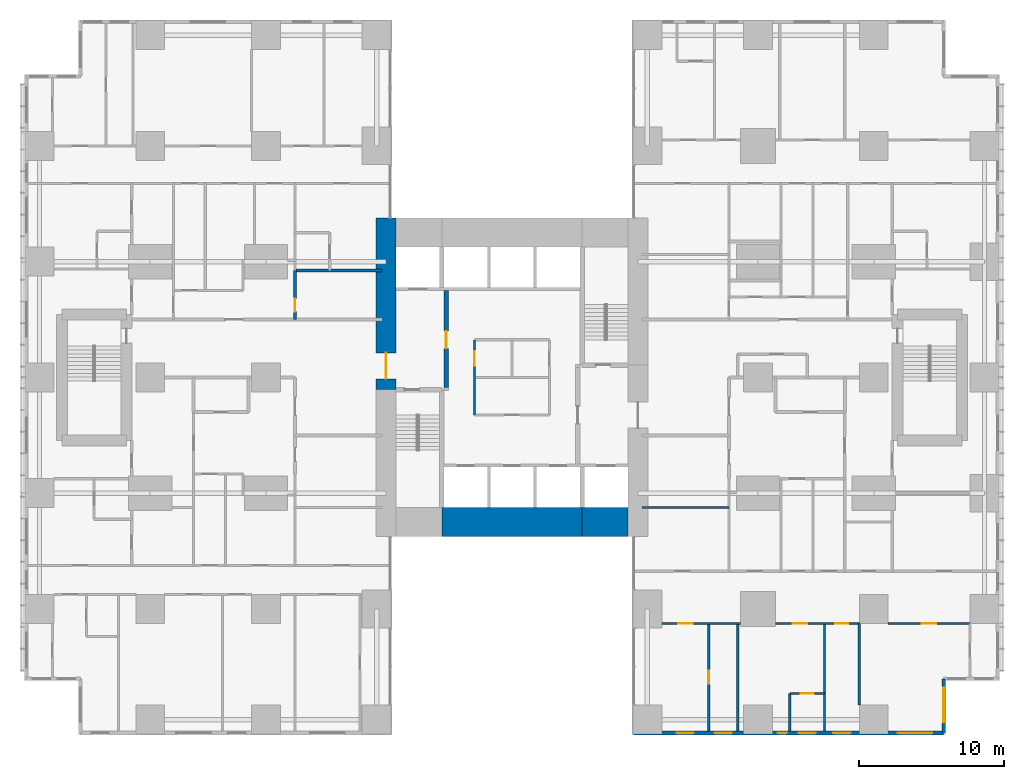
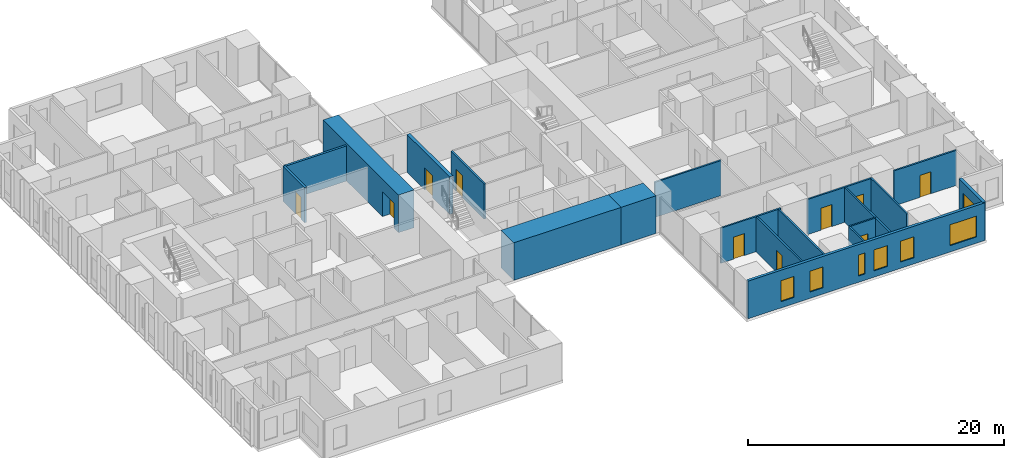
# One storey, part 14 of 20: 19 walls, 10 doors, 7 windows, 17 openings.
"""IFC4 building model written with IfcOpenShell, lengths in metres."""

from ifc_helpers import new_model, si_unit, direction, frame, frame_2d, origin, place, context, subcontext, project, spatial, rectangle, extrude, material, layer, layer_set, type_object, element, fill, save


model = new_model("IFC4")

# Units and contexts
model_context = context("Model", 3, precision=1e-05, world=origin(), true_north=direction((0.0, 1.0)))
body_context = subcontext(model_context, "Body", "Model", "MODEL_VIEW")
ifc_project = project(units=[si_unit("LENGTHUNIT", "METRE"), si_unit("AREAUNIT", "SQUARE_METRE"), si_unit("VOLUMEUNIT", "CUBIC_METRE"), si_unit("PLANEANGLEUNIT", "RADIAN"), si_unit("MASSUNIT", "GRAM", prefix="KILO")], contexts=[model_context])

# Site, building, storey
site_placement = place(None, origin())
site = spatial("IfcSite", under=ifc_project, at=site_placement, CompositionType="ELEMENT")
building_placement = place(site_placement, origin())
building = spatial("IfcBuilding", under=site, at=building_placement, Name="Cleftline Residences", CompositionType="ELEMENT")
storey_placement = place(building_placement, frame((0.0, 0.0, 76.39990234375)))
storey = spatial("IfcBuildingStorey", under=building, at=storey_placement, Name="L19", CompositionType="ELEMENT", Elevation=76.39990234375)

# Wall, opening, door
ifc_material_1 = material(Name="Concrete B70", Category="concrete")
ifc_layer_1 = layer(ifc_material_1, 1.39990234375)
ifc_layer_set_1 = layer_set([ifc_layer_1], Name="CORE WALL 1400")
wall_type_1 = type_object("IfcWallType", Name="CORE WALL 1400", PredefinedType="SHEAR", material=ifc_layer_set_1)
wall_1_placement = place(storey_placement, frame((24.300048828125, 23.14990234375, 0.0), z_axis=(0.0, 0.0, 1.0), x_axis=(0.0, 1.0, 0.0)))
wall_1 = element("IfcWall", 1, at=wall_1_placement, inside=storey, type_object=wall_type_1, Name="Core wall W", PredefinedType="SHEAR", context=body_context, shape_type="SweptSolid", body=[
    extrude(rectangle(XDim=11.85009765625, YDim=1.39990234375, at=frame_2d((5.925048828125, 0.0))), origin(), (0.0, 0.0, 1.0), 3.60009765625),
])
opening_1_placement = place(wall_1_placement, frame((0.75, 0.0, 0.0)))
opening_1 = element("IfcOpeningElement", 2, at=opening_1_placement, cuts=wall_1, Name="Opening D7", PredefinedType="OPENING", context=body_context, shape_type="SweptSolid", body=[
    extrude(rectangle(XDim=1.800048828125, YDim=2.39990234375, at=frame_2d((0.89990234375, 1.199951171875))), frame((0.0, 0.7099609375, 0.0), z_axis=(0.0, -1.0, 0.0), x_axis=(1.0, 0.0, 0.0)), (0.0, 0.0, 1.0), 1.419921875),
])
ifc_material_2 = material(Name="Steel", Category="steel")
door_type_1 = type_object("IfcDoorType", Name="WING DOOR 1800X2400", OperationType="DOUBLE_DOOR_DOUBLE_SWING", PredefinedType="DOOR", material=ifc_material_2)
door_1_placement = place(opening_1_placement, origin())
door_1 = element("IfcDoor", 3, at=door_1_placement, inside=storey, type_object=door_type_1, Name="West wing door", OperationType="DOUBLE_DOOR_DOUBLE_SWING", OverallHeight=2.39990234375, OverallWidth=1.800048828125, PredefinedType="DOOR", context=body_context, shape_type="SweptSolid", body=[
    extrude(rectangle(XDim=1.800048828125, YDim=2.39990234375, at=frame_2d((0.89990234375, 1.199951171875))), frame((0.0, 0.02490234375, 0.0), z_axis=(0.0, -1.0, 0.0), x_axis=(1.0, 0.0, 0.0)), (0.0, 0.0, 1.0), 0.050048828125),
])
fill(opening_1, door_1)

# Walls
ifc_material_3 = material(Name="Concrete B70", Category="concrete")
ifc_layer_2 = layer(ifc_material_3, 2.0)
ifc_layer_set_2 = layer_set([ifc_layer_2], Name="CORE WALL 2000")
wall_type_2 = type_object("IfcWallType", Name="CORE WALL 2000", PredefinedType="SHEAR", material=ifc_layer_set_2)
wall_2_placement = place(storey_placement, frame((28.14990234375, 14.0, 0.0), z_axis=(0.0, 0.0, 1.0), x_axis=(1.0, 0.0, 0.0)))
element("IfcWall", 4, at=wall_2_placement, inside=storey, type_object=wall_type_2, Name="Core wall S2", PredefinedType="SHEAR", context=body_context, shape_type="SweptSolid", body=[
    extrude(rectangle(XDim=9.7001953125, YDim=2.0, at=frame_2d((4.85009765625, 0.0))), origin(), (0.0, 0.0, 1.0), 3.60009765625),
])
wall_3_placement = place(storey_placement, frame((37.85009765625, 14.0, 0.0), z_axis=(0.0, 0.0, 1.0), x_axis=(1.0, 0.0, 0.0)))
element("IfcWall", 5, at=wall_3_placement, inside=storey, type_object=wall_type_2, Name="Core wall S3", PredefinedType="SHEAR", context=body_context, shape_type="SweptSolid", body=[
    extrude(rectangle(XDim=3.14990234375, YDim=2.0, at=frame_2d((1.574951171875, 0.0))), origin(), (0.0, 0.0, 1.0), 3.60009765625),
])

# Wall, openings, windows
ifc_material_4 = material(Name="Rendered reinforced concrete blockwork", Category="masonry")
ifc_layer_3 = layer(ifc_material_4, 0.25)
ifc_layer_set_3 = layer_set([ifc_layer_3], Name="EXTERNAL WALL 250")
wall_type_3 = type_object("IfcWallType", Name="EXTERNAL WALL 250", PredefinedType="SOLIDWALL", material=ifc_layer_set_3)
wall_4_placement = place(storey_placement, frame((41.425048828125, -0.574951171875, 0.0), z_axis=(0.0, 0.0, 1.0), x_axis=(1.0, 0.0, 0.0)))
wall_4 = element("IfcWall", 6, at=wall_4_placement, inside=storey, type_object=wall_type_3, Name="External wall", PredefinedType="SOLIDWALL", context=body_context, shape_type="SweptSolid", body=[
    extrude(rectangle(XDim=21.39990234375, YDim=0.25, at=frame_2d((10.699951171875, 0.0))), origin(), (0.0, 0.0, 1.0), 3.60009765625),
])
opening_2_placement = place(wall_4_placement, frame((2.949951171875, 0.0, 0.60009765625)))
opening_2 = element("IfcOpeningElement", 7, at=opening_2_placement, cuts=wall_4, Name="Opening W8", PredefinedType="OPENING", context=body_context, shape_type="SweptSolid", body=[
    extrude(rectangle(XDim=1.199951171875, YDim=2.0, at=frame_2d((0.60009765625, 1.0))), frame((0.0, 0.135009765625, 0.0), z_axis=(0.0, -1.0, 0.0), x_axis=(1.0, 0.0, 0.0)), (0.0, 0.0, 1.0), 0.27001953125),
])
opening_3_placement = place(wall_4_placement, frame((5.574951171875, 0.0, 0.60009765625)))
opening_3 = element("IfcOpeningElement", 8, at=opening_3_placement, cuts=wall_4, Name="Opening W8", PredefinedType="OPENING", context=body_context, shape_type="SweptSolid", body=[
    extrude(rectangle(XDim=1.199951171875, YDim=2.0, at=frame_2d((0.60009765625, 1.0))), frame((0.0, 0.135009765625, 0.0), z_axis=(0.0, -1.0, 0.0), x_axis=(1.0, 0.0, 0.0)), (0.0, 0.0, 1.0), 0.27001953125),
])
opening_4_placement = place(wall_4_placement, frame((9.949951171875, 0.0, 0.60009765625)))
opening_4 = element("IfcOpeningElement", 9, at=opening_4_placement, cuts=wall_4, Name="Opening W7", PredefinedType="OPENING", context=body_context, shape_type="SweptSolid", body=[
    extrude(rectangle(XDim=0.60009765625, YDim=2.0, at=frame_2d((0.300048828125, 1.0))), frame((0.0, 0.135009765625, 0.0), z_axis=(0.0, -1.0, 0.0), x_axis=(1.0, 0.0, 0.0)), (0.0, 0.0, 1.0), 0.27001953125),
])
opening_5_placement = place(wall_4_placement, frame((11.375, 0.0, 0.60009765625)))
opening_5 = element("IfcOpeningElement", 10, at=opening_5_placement, cuts=wall_4, Name="Opening W8", PredefinedType="OPENING", context=body_context, shape_type="SweptSolid", body=[
    extrude(rectangle(XDim=1.199951171875, YDim=2.0, at=frame_2d((0.60009765625, 1.0))), frame((0.0, 0.135009765625, 0.0), z_axis=(0.0, -1.0, 0.0), x_axis=(1.0, 0.0, 0.0)), (0.0, 0.0, 1.0), 0.27001953125),
])
opening_6_placement = place(wall_4_placement, frame((13.77490234375, 0.0, 0.60009765625)))
opening_6 = element("IfcOpeningElement", 11, at=opening_6_placement, cuts=wall_4, Name="Opening W8", PredefinedType="OPENING", context=body_context, shape_type="SweptSolid", body=[
    extrude(rectangle(XDim=1.199951171875, YDim=2.0, at=frame_2d((0.60009765625, 1.0))), frame((0.0, 0.135009765625, 0.0), z_axis=(0.0, -1.0, 0.0), x_axis=(1.0, 0.0, 0.0)), (0.0, 0.0, 1.0), 0.27001953125),
])
opening_7_placement = place(wall_4_placement, frame((18.22509765625, 0.0, 0.60009765625)))
opening_7 = element("IfcOpeningElement", 12, at=opening_7_placement, cuts=wall_4, Name="Opening W6", PredefinedType="OPENING", context=body_context, shape_type="SweptSolid", body=[
    extrude(rectangle(XDim=2.39990234375, YDim=2.0, at=frame_2d((1.199951171875, 1.0))), frame((0.0, 0.135009765625, 0.0), z_axis=(0.0, -1.0, 0.0), x_axis=(1.0, 0.0, 0.0)), (0.0, 0.0, 1.0), 0.27001953125),
])
ifc_material_5 = material(Name="Aluminium frame, clear double glazing", Category="aluminium")
window_type_1 = type_object("IfcWindowType", Name="WINDOW 1200X2000", PartitioningType="DOUBLE_PANEL_VERTICAL", PredefinedType="WINDOW", material=ifc_material_5)
window_1_placement = place(opening_2_placement, origin())
window_1 = element("IfcWindow", 13, at=window_1_placement, inside=storey, type_object=window_type_1, Name="Window", OverallHeight=2.0, OverallWidth=1.199951171875, PartitioningType="SINGLE_PANEL", PredefinedType="WINDOW", context=body_context, shape_type="SweptSolid", body=[
    extrude(rectangle(XDim=1.199951171875, YDim=2.0, at=frame_2d((0.60009765625, 1.0))), frame((0.0, 0.030029296875, 0.0), z_axis=(0.0, -1.0, 0.0), x_axis=(1.0, 0.0, 0.0)), (0.0, 0.0, 1.0), 0.06005859375),
])
fill(opening_2, window_1)
window_2_placement = place(opening_3_placement, origin())
window_2 = element("IfcWindow", 14, at=window_2_placement, inside=storey, type_object=window_type_1, Name="Window", OverallHeight=2.0, OverallWidth=1.199951171875, PartitioningType="SINGLE_PANEL", PredefinedType="WINDOW", context=body_context, shape_type="SweptSolid", body=[
    extrude(rectangle(XDim=1.199951171875, YDim=2.0, at=frame_2d((0.60009765625, 1.0))), frame((0.0, 0.030029296875, 0.0), z_axis=(0.0, -1.0, 0.0), x_axis=(1.0, 0.0, 0.0)), (0.0, 0.0, 1.0), 0.06005859375),
])
fill(opening_3, window_2)
window_3_placement = place(opening_5_placement, origin())
window_3 = element("IfcWindow", 15, at=window_3_placement, inside=storey, type_object=window_type_1, Name="Window", OverallHeight=2.0, OverallWidth=1.199951171875, PartitioningType="SINGLE_PANEL", PredefinedType="WINDOW", context=body_context, shape_type="SweptSolid", body=[
    extrude(rectangle(XDim=1.199951171875, YDim=2.0, at=frame_2d((0.60009765625, 1.0))), frame((0.0, 0.030029296875, 0.0), z_axis=(0.0, -1.0, 0.0), x_axis=(1.0, 0.0, 0.0)), (0.0, 0.0, 1.0), 0.06005859375),
])
fill(opening_5, window_3)
window_4_placement = place(opening_6_placement, origin())
window_4 = element("IfcWindow", 16, at=window_4_placement, inside=storey, type_object=window_type_1, Name="Window", OverallHeight=2.0, OverallWidth=1.199951171875, PartitioningType="SINGLE_PANEL", PredefinedType="WINDOW", context=body_context, shape_type="SweptSolid", body=[
    extrude(rectangle(XDim=1.199951171875, YDim=2.0, at=frame_2d((0.60009765625, 1.0))), frame((0.0, 0.030029296875, 0.0), z_axis=(0.0, -1.0, 0.0), x_axis=(1.0, 0.0, 0.0)), (0.0, 0.0, 1.0), 0.06005859375),
])
fill(opening_6, window_4)
ifc_material_6 = material(Name="Aluminium frame, clear double glazing", Category="aluminium")
window_type_2 = type_object("IfcWindowType", Name="WINDOW 2400X2000", PartitioningType="DOUBLE_PANEL_VERTICAL", PredefinedType="WINDOW", material=ifc_material_6)
window_5_placement = place(opening_7_placement, origin())
window_5 = element("IfcWindow", 17, at=window_5_placement, inside=storey, type_object=window_type_2, Name="Window", OverallHeight=2.0, OverallWidth=2.39990234375, PartitioningType="SINGLE_PANEL", PredefinedType="WINDOW", context=body_context, shape_type="SweptSolid", body=[
    extrude(rectangle(XDim=2.39990234375, YDim=2.0, at=frame_2d((1.199951171875, 1.0))), frame((0.0, 0.030029296875, 0.0), z_axis=(0.0, -1.0, 0.0), x_axis=(1.0, 0.0, 0.0)), (0.0, 0.0, 1.0), 0.06005859375),
])
fill(opening_7, window_5)
ifc_material_7 = material(Name="Aluminium frame, clear double glazing", Category="aluminium")
window_type_3 = type_object("IfcWindowType", Name="WINDOW 600X2000", PartitioningType="DOUBLE_PANEL_VERTICAL", PredefinedType="WINDOW", material=ifc_material_7)
window_6_placement = place(opening_4_placement, origin())
window_6 = element("IfcWindow", 18, at=window_6_placement, inside=storey, type_object=window_type_3, Name="Window", OverallHeight=2.0, OverallWidth=0.60009765625, PartitioningType="SINGLE_PANEL", PredefinedType="WINDOW", context=body_context, shape_type="SweptSolid", body=[
    extrude(rectangle(XDim=0.60009765625, YDim=2.0, at=frame_2d((0.300048828125, 1.0))), frame((0.0, 0.030029296875, 0.0), z_axis=(0.0, -1.0, 0.0), x_axis=(1.0, 0.0, 0.0)), (0.0, 0.0, 1.0), 0.06005859375),
])
fill(opening_4, window_6)

# Wall, opening, window
wall_5_placement = place(storey_placement, frame((62.824951171875, -0.574951171875, 0.0), z_axis=(0.0, 0.0, 1.0), x_axis=(0.0, 1.0, 0.0)))
wall_5 = element("IfcWall", 19, at=wall_5_placement, inside=storey, type_object=wall_type_3, Name="External wall", PredefinedType="SOLIDWALL", context=body_context, shape_type="SweptSolid", body=[
    extrude(rectangle(XDim=3.75, YDim=0.25, at=frame_2d((1.875, 0.0))), origin(), (0.0, 0.0, 1.0), 3.60009765625),
])
opening_8_placement = place(wall_5_placement, frame((0.737548828125, 0.0, 0.60009765625)))
opening_8 = element("IfcOpeningElement", 20, at=opening_8_placement, cuts=wall_5, Name="Opening W6", PredefinedType="OPENING", context=body_context, shape_type="SweptSolid", body=[
    extrude(rectangle(XDim=2.39990234375, YDim=2.0, at=frame_2d((1.199951171875, 1.0))), frame((0.0, 0.135009765625, 0.0), z_axis=(0.0, -1.0, 0.0), x_axis=(1.0, 0.0, 0.0)), (0.0, 0.0, 1.0), 0.27001953125),
])
window_7_placement = place(opening_8_placement, origin())
window_7 = element("IfcWindow", 21, at=window_7_placement, inside=storey, type_object=window_type_2, Name="Window", OverallHeight=2.0, OverallWidth=2.39990234375, PartitioningType="SINGLE_PANEL", PredefinedType="WINDOW", context=body_context, shape_type="SweptSolid", body=[
    extrude(rectangle(XDim=2.39990234375, YDim=2.0, at=frame_2d((1.199951171875, 1.0))), frame((0.0, 0.030029296875, 0.0), z_axis=(0.0, -1.0, 0.0), x_axis=(1.0, 0.0, 0.0)), (0.0, 0.0, 1.0), 0.06005859375),
])
fill(opening_8, window_7)

# Wall
ifc_material_8 = material(Name="Concrete blockwork, fire rated", Category="masonry")
ifc_layer_4 = layer(ifc_material_8, 0.199951171875)
ifc_layer_set_4 = layer_set([ifc_layer_4], Name="FIRE WALL 200")
wall_type_4 = type_object("IfcWallType", Name="FIRE WALL 200", PredefinedType="PARTITIONING", material=ifc_layer_set_4)
wall_6_placement = place(storey_placement, frame((18.0, 31.39990234375, 0.0), z_axis=(0.0, 0.0, 1.0), x_axis=(1.0, 0.0, 0.0)))
element("IfcWall", 22, at=wall_6_placement, inside=storey, type_object=wall_type_4, Name="Fire separating wall", PredefinedType="PARTITIONING", context=body_context, shape_type="SweptSolid", body=[
    extrude(rectangle(XDim=6.0, YDim=0.199951171875, at=frame_2d((3.0, 0.0))), origin(), (0.0, 0.0, 1.0), 3.35009765625),
])

# Wall, opening, door
wall_7_placement = place(storey_placement, frame((18.0, 28.0, 0.0), z_axis=(0.0, 0.0, 1.0), x_axis=(0.0, 1.0, 0.0)))
wall_7 = element("IfcWall", 23, at=wall_7_placement, inside=storey, type_object=wall_type_4, Name="Fire separating wall", PredefinedType="PARTITIONING", context=body_context, shape_type="SweptSolid", body=[
    extrude(rectangle(XDim=3.39990234375, YDim=0.199951171875, at=frame_2d((1.699951171875, 0.0))), origin(), (0.0, 0.0, 1.0), 3.35009765625),
])
opening_9_placement = place(wall_7_placement, frame((0.550048828125, 0.0, 0.0)))
opening_9 = element("IfcOpeningElement", 24, at=opening_9_placement, cuts=wall_7, Name="Opening D1F30", PredefinedType="OPENING", context=body_context, shape_type="SweptSolid", body=[
    extrude(rectangle(XDim=0.89990234375, YDim=2.10009765625, at=frame_2d((0.449951171875, 1.050048828125))), frame((0.0, 0.10986328125, 0.0), z_axis=(0.0, -1.0, 0.0), x_axis=(1.0, 0.0, 0.0)), (0.0, 0.0, 1.0), 0.219970703125),
])
ifc_material_9 = material(Name="Timber veneer on solid core", Category="wood")
door_type_2 = type_object("IfcDoorType", Name="DOOR 900X2100 EI 30", OperationType="SINGLE_SWING_LEFT", PredefinedType="DOOR", material=ifc_material_9)
door_2_placement = place(opening_9_placement, origin())
door_2 = element("IfcDoor", 25, at=door_2_placement, inside=storey, type_object=door_type_2, Name="Door to drying loggia and wc", OperationType="SINGLE_SWING_RIGHT", OverallHeight=2.10009765625, OverallWidth=0.89990234375, PredefinedType="DOOR", context=body_context, shape_type="SweptSolid", body=[
    extrude(rectangle(XDim=0.89990234375, YDim=2.10009765625, at=frame_2d((0.449951171875, 1.050048828125))), frame((0.0, 0.02490234375, 0.0), z_axis=(0.0, -1.0, 0.0), x_axis=(1.0, 0.0, 0.0)), (0.0, 0.0, 1.0), 0.050048828125),
])
fill(opening_9, door_2)

ifc_material_10 = material(Name="Gypsum board on steel studs", Category="steel")
ifc_layer_5 = layer(ifc_material_10, 0.14990234375)
ifc_layer_set_5 = layer_set([ifc_layer_5], Name="PARTITION 150")
wall_type_5 = type_object("IfcWallType", Name="PARTITION 150", PredefinedType="PARTITIONING", material=ifc_layer_set_5)
wall_8_placement = place(storey_placement, frame((52.199951171875, 2.14990234375, 0.0), z_axis=(0.0, 0.0, 1.0), x_axis=(1.0, 0.0, 0.0)))
wall_8 = element("IfcWall", 26, at=wall_8_placement, inside=storey, type_object=wall_type_5, Name="Partition", PredefinedType="PARTITIONING", context=body_context, shape_type="SweptSolid", body=[
    extrude(rectangle(XDim=2.400146484375, YDim=0.14990234375, at=frame_2d((1.2001953125, 0.0))), origin(), (0.0, 0.0, 1.0), 3.35009765625),
])
opening_10_placement = place(wall_8_placement, frame((0.75, 0.0, 0.0)))
opening_10 = element("IfcOpeningElement", 27, at=opening_10_placement, cuts=wall_8, Name="Opening D1", PredefinedType="OPENING", context=body_context, shape_type="SweptSolid", body=[
    extrude(rectangle(XDim=0.89990234375, YDim=2.10009765625, at=frame_2d((0.449951171875, 1.050048828125))), frame((0.0, 0.0849609375, 0.0), z_axis=(0.0, -1.0, 0.0), x_axis=(1.0, 0.0, 0.0)), (0.0, 0.0, 1.0), 0.169921875),
])
ifc_material_11 = material(Name="Timber veneer on solid core", Category="wood")
door_type_3 = type_object("IfcDoorType", Name="DOOR 900X2100", OperationType="SINGLE_SWING_LEFT", PredefinedType="DOOR", material=ifc_material_11)
door_3_placement = place(opening_10_placement, origin())
door_3 = element("IfcDoor", 28, at=door_3_placement, inside=storey, type_object=door_type_3, Name="Door to en-suite bathroom 2", OperationType="SINGLE_SWING_LEFT", OverallHeight=2.10009765625, OverallWidth=0.89990234375, PredefinedType="DOOR", context=body_context, shape_type="SweptSolid", body=[
    extrude(rectangle(XDim=0.89990234375, YDim=2.10009765625, at=frame_2d((0.449951171875, 1.050048828125))), frame((0.0, 0.02490234375, 0.0), z_axis=(0.0, -1.0, 0.0), x_axis=(1.0, 0.0, 0.0)), (0.0, 0.0, 1.0), 0.050048828125),
])
fill(opening_10, door_3)

wall_9_placement = place(storey_placement, frame((43.35009765625, 7.0, 0.0), z_axis=(0.0, 0.0, 1.0), x_axis=(1.0, 0.0, 0.0)))
wall_9 = element("IfcWall", 29, at=wall_9_placement, inside=storey, type_object=wall_type_5, Name="Partition", PredefinedType="PARTITIONING", context=body_context, shape_type="SweptSolid", body=[
    extrude(rectangle(XDim=5.449951171875, YDim=0.14990234375, at=frame_2d((2.72509765625, 0.0))), origin(), (0.0, 0.0, 1.0), 3.35009765625),
])
opening_11_placement = place(wall_9_placement, frame((1.125, 0.0, 0.0)))
opening_11 = element("IfcOpeningElement", 30, at=opening_11_placement, cuts=wall_9, Name="Opening D2", PredefinedType="OPENING", context=body_context, shape_type="SweptSolid", body=[
    extrude(rectangle(XDim=1.0, YDim=2.10009765625, at=frame_2d((0.5, 1.050048828125))), frame((0.0, 0.0849609375, 0.0), z_axis=(0.0, -1.0, 0.0), x_axis=(1.0, 0.0, 0.0)), (0.0, 0.0, 1.0), 0.169921875),
])
ifc_material_12 = material(Name="Timber veneer on solid core", Category="wood")
door_type_4 = type_object("IfcDoorType", Name="DOOR 1000X2100", OperationType="SINGLE_SWING_LEFT", PredefinedType="DOOR", material=ifc_material_12)
door_4_placement = place(opening_11_placement, origin())
door_4 = element("IfcDoor", 31, at=door_4_placement, inside=storey, type_object=door_type_4, Name="Door to bedroom 3", OperationType="SINGLE_SWING_RIGHT", OverallHeight=2.10009765625, OverallWidth=1.0, PredefinedType="DOOR", context=body_context, shape_type="SweptSolid", body=[
    extrude(rectangle(XDim=1.0, YDim=2.10009765625, at=frame_2d((0.5, 1.050048828125))), frame((0.0, 0.02490234375, 0.0), z_axis=(0.0, -1.0, 0.0), x_axis=(1.0, 0.0, 0.0)), (0.0, 0.0, 1.0), 0.050048828125),
])
fill(opening_11, door_4)

# Wall, openings, doors
wall_10_placement = place(storey_placement, frame((51.199951171875, 7.0, 0.0), z_axis=(0.0, 0.0, 1.0), x_axis=(1.0, 0.0, 0.0)))
wall_10 = element("IfcWall", 32, at=wall_10_placement, inside=storey, type_object=wall_type_5, Name="Partition", PredefinedType="PARTITIONING", context=body_context, shape_type="SweptSolid", body=[
    extrude(rectangle(XDim=5.800048828125, YDim=0.14990234375, at=frame_2d((2.89990234375, 0.0))), origin(), (0.0, 0.0, 1.0), 3.35009765625),
])
opening_12_placement = place(wall_10_placement, frame((4.14990234375, 0.0, 0.0)))
opening_12 = element("IfcOpeningElement", 33, at=opening_12_placement, cuts=wall_10, Name="Opening D1", PredefinedType="OPENING", context=body_context, shape_type="SweptSolid", body=[
    extrude(rectangle(XDim=0.89990234375, YDim=2.10009765625, at=frame_2d((0.449951171875, 1.050048828125))), frame((0.0, 0.0849609375, 0.0), z_axis=(0.0, -1.0, 0.0), x_axis=(1.0, 0.0, 0.0)), (0.0, 0.0, 1.0), 0.169921875),
])
opening_13_placement = place(wall_10_placement, frame((1.199951171875, 0.0, 0.0)))
opening_13 = element("IfcOpeningElement", 34, at=opening_13_placement, cuts=wall_10, Name="Opening D2", PredefinedType="OPENING", context=body_context, shape_type="SweptSolid", body=[
    extrude(rectangle(XDim=1.0, YDim=2.10009765625, at=frame_2d((0.5, 1.050048828125))), frame((0.0, 0.0849609375, 0.0), z_axis=(0.0, -1.0, 0.0), x_axis=(1.0, 0.0, 0.0)), (0.0, 0.0, 1.0), 0.169921875),
])
door_5_placement = place(opening_13_placement, origin())
door_5 = element("IfcDoor", 35, at=door_5_placement, inside=storey, type_object=door_type_4, Name="Door to bedroom 2", OperationType="SINGLE_SWING_RIGHT", OverallHeight=2.10009765625, OverallWidth=1.0, PredefinedType="DOOR", context=body_context, shape_type="SweptSolid", body=[
    extrude(rectangle(XDim=1.0, YDim=2.10009765625, at=frame_2d((0.5, 1.050048828125))), frame((0.0, 0.02490234375, 0.0), z_axis=(0.0, -1.0, 0.0), x_axis=(1.0, 0.0, 0.0)), (0.0, 0.0, 1.0), 0.050048828125),
])
fill(opening_13, door_5)
door_6_placement = place(opening_12_placement, origin())
door_6 = element("IfcDoor", 36, at=door_6_placement, inside=storey, type_object=door_type_3, Name="Door to master dressing room", OperationType="SINGLE_SWING_LEFT", OverallHeight=2.10009765625, OverallWidth=0.89990234375, PredefinedType="DOOR", context=body_context, shape_type="SweptSolid", body=[
    extrude(rectangle(XDim=0.89990234375, YDim=2.10009765625, at=frame_2d((0.449951171875, 1.050048828125))), frame((0.0, 0.02490234375, 0.0), z_axis=(0.0, -1.0, 0.0), x_axis=(1.0, 0.0, 0.0)), (0.0, 0.0, 1.0), 0.050048828125),
])
fill(opening_12, door_6)

# Wall, opening, door
wall_11_placement = place(storey_placement, frame((59.0, 7.0, 0.0), z_axis=(0.0, 0.0, 1.0), x_axis=(1.0, 0.0, 0.0)))
wall_11 = element("IfcWall", 37, at=wall_11_placement, inside=storey, type_object=wall_type_5, Name="Partition", PredefinedType="PARTITIONING", context=body_context, shape_type="SweptSolid", body=[
    extrude(rectangle(XDim=5.64990234375, YDim=0.14990234375, at=frame_2d((2.824951171875, 0.0))), origin(), (0.0, 0.0, 1.0), 3.35009765625),
])
opening_14_placement = place(wall_11_placement, frame((2.324951171875, 0.0, 0.0)))
opening_14 = element("IfcOpeningElement", 38, at=opening_14_placement, cuts=wall_11, Name="Opening D2", PredefinedType="OPENING", context=body_context, shape_type="SweptSolid", body=[
    extrude(rectangle(XDim=1.0, YDim=2.10009765625, at=frame_2d((0.5, 1.050048828125))), frame((0.0, 0.0849609375, 0.0), z_axis=(0.0, -1.0, 0.0), x_axis=(1.0, 0.0, 0.0)), (0.0, 0.0, 1.0), 0.169921875),
])
door_7_placement = place(opening_14_placement, origin())
door_7 = element("IfcDoor", 39, at=door_7_placement, inside=storey, type_object=door_type_4, Name="Door to master bedroom", OperationType="SINGLE_SWING_LEFT", OverallHeight=2.10009765625, OverallWidth=1.0, PredefinedType="DOOR", context=body_context, shape_type="SweptSolid", body=[
    extrude(rectangle(XDim=1.0, YDim=2.10009765625, at=frame_2d((0.5, 1.050048828125))), frame((0.0, 0.02490234375, 0.0), z_axis=(0.0, -1.0, 0.0), x_axis=(1.0, 0.0, 0.0)), (0.0, 0.0, 1.0), 0.050048828125),
])
fill(opening_14, door_7)

# Wall
wall_12_placement = place(storey_placement, frame((42.0, 15.0, 0.0), z_axis=(0.0, 0.0, 1.0), x_axis=(1.0, 0.0, 0.0)))
element("IfcWall", 40, at=wall_12_placement, inside=storey, type_object=wall_type_5, Name="Partition", PredefinedType="PARTITIONING", context=body_context, shape_type="SweptSolid", body=[
    extrude(rectangle(XDim=6.0, YDim=0.14990234375, at=frame_2d((3.0, 0.0))), origin(), (0.0, 0.0, 1.0), 3.35009765625),
])

# Wall, opening, door
wall_13_placement = place(storey_placement, frame((46.60009765625, -0.449951171875, 0.0), z_axis=(0.0, 0.0, 1.0), x_axis=(0.0, 1.0, 0.0)))
wall_13 = element("IfcWall", 41, at=wall_13_placement, inside=storey, type_object=wall_type_5, Name="Partition", PredefinedType="PARTITIONING", context=body_context, shape_type="SweptSolid", body=[
    extrude(rectangle(XDim=7.449951171875, YDim=0.14990234375, at=frame_2d((3.72509765625, 0.0))), origin(), (0.0, 0.0, 1.0), 3.35009765625),
])
opening_15_placement = place(wall_13_placement, frame((3.27490234375, 0.0, 0.0)))
opening_15 = element("IfcOpeningElement", 42, at=opening_15_placement, cuts=wall_13, Name="Opening D1", PredefinedType="OPENING", context=body_context, shape_type="SweptSolid", body=[
    extrude(rectangle(XDim=0.89990234375, YDim=2.10009765625, at=frame_2d((0.449951171875, 1.050048828125))), frame((0.0, 0.0849609375, 0.0), z_axis=(0.0, -1.0, 0.0), x_axis=(1.0, 0.0, 0.0)), (0.0, 0.0, 1.0), 0.169921875),
])
door_8_placement = place(opening_15_placement, origin())
door_8 = element("IfcDoor", 43, at=door_8_placement, inside=storey, type_object=door_type_3, Name="Door to en-suite bathroom 3", OperationType="SINGLE_SWING_LEFT", OverallHeight=2.10009765625, OverallWidth=0.89990234375, PredefinedType="DOOR", context=body_context, shape_type="SweptSolid", body=[
    extrude(rectangle(XDim=0.89990234375, YDim=2.10009765625, at=frame_2d((0.449951171875, 1.050048828125))), frame((0.0, 0.02490234375, 0.0), z_axis=(0.0, -1.0, 0.0), x_axis=(1.0, 0.0, 0.0)), (0.0, 0.0, 1.0), 0.050048828125),
])
fill(opening_15, door_8)

# Walls
wall_14_placement = place(storey_placement, frame((48.60009765625, -0.449951171875, 0.0), z_axis=(0.0, 0.0, 1.0), x_axis=(0.0, 1.0, 0.0)))
element("IfcWall", 44, at=wall_14_placement, inside=storey, type_object=wall_type_5, Name="Partition", PredefinedType="PARTITIONING", context=body_context, shape_type="SweptSolid", body=[
    extrude(rectangle(XDim=7.449951171875, YDim=0.14990234375, at=frame_2d((3.72509765625, 0.0))), origin(), (0.0, 0.0, 1.0), 3.35009765625),
])
wall_15_placement = place(storey_placement, frame((52.199951171875, -0.449951171875, 0.0), z_axis=(0.0, 0.0, 1.0), x_axis=(0.0, 1.0, 0.0)))
element("IfcWall", 45, at=wall_15_placement, inside=storey, type_object=wall_type_5, Name="Partition", PredefinedType="PARTITIONING", context=body_context, shape_type="SweptSolid", body=[
    extrude(rectangle(XDim=2.599853515625, YDim=0.14990234375, at=frame_2d((1.2998046875, 0.0))), origin(), (0.0, 0.0, 1.0), 3.35009765625),
])
wall_16_placement = place(storey_placement, frame((54.60009765625, -0.449951171875, 0.0), z_axis=(0.0, 0.0, 1.0), x_axis=(0.0, 1.0, 0.0)))
element("IfcWall", 46, at=wall_16_placement, inside=storey, type_object=wall_type_5, Name="Partition", PredefinedType="PARTITIONING", context=body_context, shape_type="SweptSolid", body=[
    extrude(rectangle(XDim=7.449951171875, YDim=0.14990234375, at=frame_2d((3.72509765625, 0.0))), origin(), (0.0, 0.0, 1.0), 3.35009765625),
])
wall_17_placement = place(storey_placement, frame((57.0, 1.35009765625, 0.0), z_axis=(0.0, 0.0, 1.0), x_axis=(0.0, 1.0, 0.0)))
element("IfcWall", 47, at=wall_17_placement, inside=storey, type_object=wall_type_5, Name="Partition", PredefinedType="PARTITIONING", context=body_context, shape_type="SweptSolid", body=[
    extrude(rectangle(XDim=5.64990234375, YDim=0.14990234375, at=frame_2d((2.824951171875, 0.0))), origin(), (0.0, 0.0, 1.0), 3.35009765625),
])

# Wall, opening, door
ifc_material_13 = material(Name="Fire-resisting gypsum board on steel studs", Category="steel")
ifc_layer_6 = layer(ifc_material_13, 0.14990234375)
ifc_layer_set_6 = layer_set([ifc_layer_6], Name="PARTITION 150 EI 60")
wall_type_6 = type_object("IfcWallType", Name="PARTITION 150 EI 60", PredefinedType="PARTITIONING", material=ifc_layer_set_6)
wall_18_placement = place(storey_placement, frame((30.39990234375, 21.39990234375, 0.0), z_axis=(0.0, 0.0, 1.0), x_axis=(0.0, 1.0, 0.0)))
wall_18 = element("IfcWall", 48, at=wall_18_placement, inside=storey, type_object=wall_type_6, Name="Core room partition", PredefinedType="PARTITIONING", context=body_context, shape_type="SweptSolid", body=[
    extrude(rectangle(XDim=5.2001953125, YDim=0.14990234375, at=frame_2d((2.60009765625, 0.0))), origin(), (0.0, 0.0, 1.0), 3.35009765625),
])
opening_16_placement = place(wall_18_placement, frame((3.39990234375, 0.0, 0.0)))
opening_16 = element("IfcOpeningElement", 49, at=opening_16_placement, cuts=wall_18, Name="Opening D2F60", PredefinedType="OPENING", context=body_context, shape_type="SweptSolid", body=[
    extrude(rectangle(XDim=1.0, YDim=2.10009765625, at=frame_2d((0.5, 1.050048828125))), frame((0.0, 0.0849609375, 0.0), z_axis=(0.0, -1.0, 0.0), x_axis=(1.0, 0.0, 0.0)), (0.0, 0.0, 1.0), 0.169921875),
])
ifc_material_14 = material(Name="Timber veneer on solid core", Category="wood")
door_type_5 = type_object("IfcDoorType", Name="DOOR 1000X2100 EI 60", OperationType="SINGLE_SWING_LEFT", PredefinedType="DOOR", material=ifc_material_14)
door_9_placement = place(opening_16_placement, origin())
door_9 = element("IfcDoor", 50, at=door_9_placement, inside=storey, type_object=door_type_5, Name="Door to electrical room", OperationType="SINGLE_SWING_LEFT", OverallHeight=2.10009765625, OverallWidth=1.0, PredefinedType="DOOR", context=body_context, shape_type="SweptSolid", body=[
    extrude(rectangle(XDim=1.0, YDim=2.10009765625, at=frame_2d((0.5, 1.050048828125))), frame((0.0, 0.02490234375, 0.0), z_axis=(0.0, -1.0, 0.0), x_axis=(1.0, 0.0, 0.0)), (0.0, 0.0, 1.0), 0.050048828125),
])
fill(opening_16, door_9)

ifc_material_15 = material(Name="Concrete blockwork, fire rated", Category="masonry")
ifc_layer_7 = layer(ifc_material_15, 0.300048828125)
ifc_layer_set_7 = layer_set([ifc_layer_7], Name="STAIR LOBBY WALL 300")
wall_type_7 = type_object("IfcWallType", Name="STAIR LOBBY WALL 300", PredefinedType="PARTITIONING", material=ifc_layer_set_7)
wall_19_placement = place(storey_placement, frame((28.449951171875, 23.300048828125, 0.0), z_axis=(0.0, 0.0, 1.0), x_axis=(0.0, 1.0, 0.0)))
wall_19 = element("IfcWall", 51, at=wall_19_placement, inside=storey, type_object=wall_type_7, Name="Stair and lobby wall FA-E", PredefinedType="PARTITIONING", context=body_context, shape_type="SweptSolid", body=[
    extrude(rectangle(XDim=6.699951171875, YDim=0.300048828125, at=frame_2d((3.35009765625, 0.0))), origin(), (0.0, 0.0, 1.0), 3.60009765625),
])
opening_17_placement = place(wall_19_placement, frame((2.699951171875, 0.0, 0.0)))
opening_17 = element("IfcOpeningElement", 52, at=opening_17_placement, cuts=wall_19, Name="Opening D6", PredefinedType="OPENING", context=body_context, shape_type="SweptSolid", body=[
    extrude(rectangle(XDim=1.199951171875, YDim=2.10009765625, at=frame_2d((0.60009765625, 1.050048828125))), frame((0.0, 0.159912109375, 0.0), z_axis=(0.0, -1.0, 0.0), x_axis=(1.0, 0.0, 0.0)), (0.0, 0.0, 1.0), 0.320068359375),
])
ifc_material_16 = material(Name="Steel", Category="steel")
door_type_6 = type_object("IfcDoorType", Name="LOBBY DOOR 1200X2100", OperationType="SINGLE_SWING_RIGHT", PredefinedType="DOOR", material=ifc_material_16)
door_10_placement = place(opening_17_placement, origin())
door_10 = element("IfcDoor", 53, at=door_10_placement, inside=storey, type_object=door_type_6, Name="Firefighting lobby A door", OperationType="SINGLE_SWING_RIGHT", OverallHeight=2.10009765625, OverallWidth=1.199951171875, PredefinedType="DOOR", context=body_context, shape_type="SweptSolid", body=[
    extrude(rectangle(XDim=1.199951171875, YDim=2.10009765625, at=frame_2d((0.60009765625, 1.050048828125))), frame((0.0, 0.02490234375, 0.0), z_axis=(0.0, -1.0, 0.0), x_axis=(1.0, 0.0, 0.0)), (0.0, 0.0, 1.0), 0.050048828125),
])
fill(opening_17, door_10)

save(model, "model.ifc")
